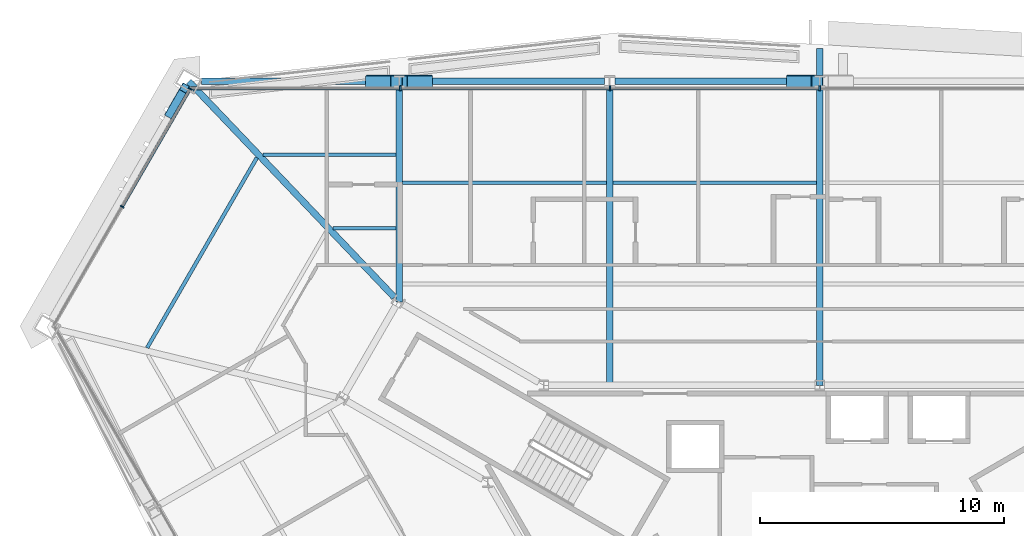
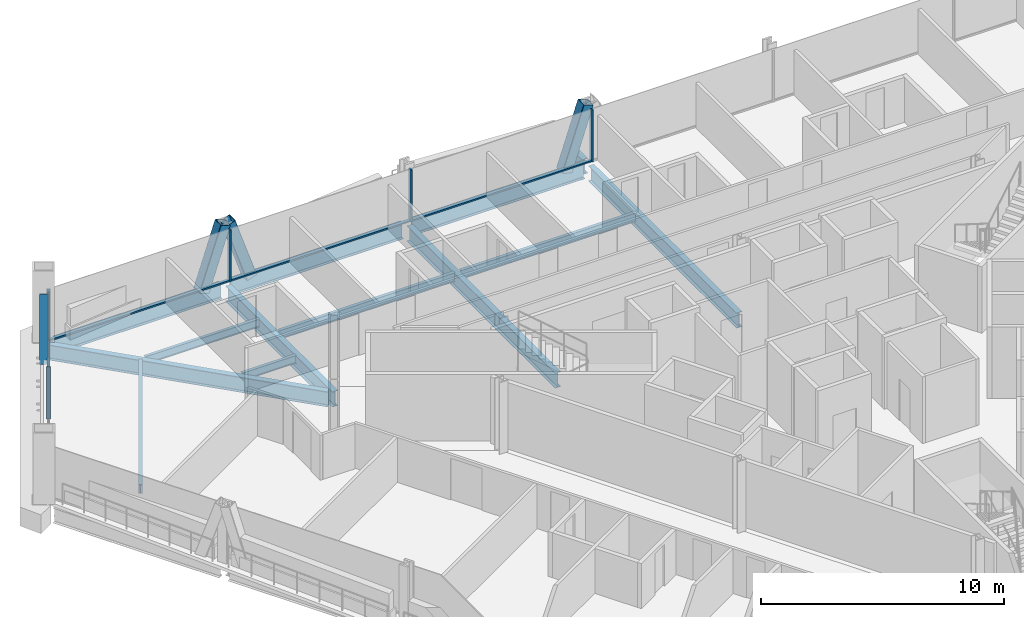
# One storey, part 8 of 18: 13 beams, 13 members, 2 elements without a shape of their own.
"""IFC4 building model written with IfcOpenShell, lengths in metres."""

from ifc_helpers import new_model, si_unit, direction, frame, origin, origin_2d, place, context, subcontext, project, spatial, rectangle, hollow_rectangle, i_section, extrude, material, material_profile, profile_set, type_object, element, aggregate, save


model = new_model("IFC4")

# Units and contexts
model_context = context("Model", 3, precision=1e-05, world=origin(), true_north=direction((0.0, 1.0)))
body_context = subcontext(model_context, "Body", "Model", "MODEL_VIEW")
ifc_project = project(units=[si_unit("LENGTHUNIT", "METRE"), si_unit("AREAUNIT", "SQUARE_METRE"), si_unit("VOLUMEUNIT", "CUBIC_METRE"), si_unit("PLANEANGLEUNIT", "RADIAN"), si_unit("MASSUNIT", "GRAM", prefix="KILO")], contexts=[model_context])

# Site, building, storey
site_placement = place(None, origin())
site = spatial("IfcSite", under=ifc_project, at=site_placement, CompositionType="ELEMENT")
building_placement = place(site_placement, origin())
building = spatial("IfcBuilding", under=site, at=building_placement, Name="Verrane Prism Tower", CompositionType="ELEMENT")
storey_placement = place(building_placement, frame((0.0, 0.0, 83.60009765625)))
storey = spatial("IfcBuildingStorey", under=building, at=storey_placement, Name="L19", CompositionType="ELEMENT", Elevation=83.60009765625)

# Member
ifc_material_1 = material(Name="Steel A500 Grade C", Category="steel")
ifc_material_profile_1 = material_profile(ifc_material_1, hollow_rectangle(XDim=0.355712890625, YDim=0.355712890625, WallThickness=0.0126953125, InnerFilletRadius=0.00634765625, OuterFilletRadius=0.01904296875, at=origin_2d()), Name="HSS14x14x1/2")
ifc_profile_set_1 = profile_set([ifc_material_profile_1], Name="Steel A500 Grade C")
member_type_1 = type_object("IfcMemberType", Name="Chamfer brace HSS14x14x1/2", PredefinedType="BRACE", material=ifc_profile_set_1)
member_1_placement = place(storey_placement, frame((-26.6630859375, 20.34619140625, -0.2451171875), z_axis=(0.204739757292, 0.355208150349, 0.912090347339), x_axis=(-0.866384024529, 0.499378335575, 0.0)))
element("IfcMember", 1, at=member_1_placement, inside=storey, type_object=member_type_1, Name="Chamfer brace NW0 L19", PredefinedType="BRACE", context=body_context, shape_type="SweptSolid", body=[
    extrude(hollow_rectangle(XDim=0.355712890625, YDim=0.355712890625, WallThickness=0.0126953125, InnerFilletRadius=0.00634765625, OuterFilletRadius=0.01904296875, at=origin_2d()), origin(), (0.0, 0.0, 1.0), 2.946533203125),
])

# Beam
ifc_material_2 = material(Name="Steel A992", Category="steel")
ifc_material_profile_2 = material_profile(ifc_material_2, i_section(OverallWidth=0.2666015625, OverallDepth=0.76708984375, WebThickness=0.014892578125, FlangeThickness=0.023681640625, FilletRadius=0.0166015625, at=origin_2d()), Name="W30x124")
ifc_profile_set_2 = profile_set([ifc_material_profile_2], Name="Steel A992")
beam_type_1 = type_object("IfcBeamType", Name="Corner girder W30x124", PredefinedType="BEAM", material=ifc_profile_set_2)
beam_1_placement = place(storey_placement, frame((-25.897216796875, 21.6669921875, -0.603515625), z_axis=(0.689657664947, -0.724135557185, 0.0), x_axis=(0.724135557185, 0.689657664947, 0.0)))
element("IfcBeam", 2, at=beam_1_placement, inside=storey, type_object=beam_type_1, Name="Corner girder L19", PredefinedType="BEAM", context=body_context, shape_type="SweptSolid", body=[
    extrude(i_section(OverallWidth=0.2666015625, OverallDepth=0.76708984375, WebThickness=0.014892578125, FlangeThickness=0.023681640625, FilletRadius=0.0166015625, at=origin_2d()), origin(), (0.0, 0.0, 1.0), 12.22900390625),
])

# Members
ifc_material_3 = material(Name="Steel A1085 Grade A", Category="steel")
ifc_material_profile_3 = material_profile(ifc_material_3, hollow_rectangle(XDim=0.508056640625, YDim=0.508056640625, WallThickness=0.025390625, InnerFilletRadius=0.0126953125, OuterFilletRadius=0.0380859375, at=origin_2d()), Name="HSS20x20x1")
ifc_profile_set_3 = profile_set([ifc_material_profile_3], Name="Steel A1085 Grade A")
member_type_2 = type_object("IfcMemberType", Name="Facade brace HSS20x20x1", PredefinedType="BRACE", material=ifc_profile_set_3)
member_2_placement = place(storey_placement, frame((-1.134033203125, 21.669921875, -0.24267578125), z_axis=(0.316612748324, 0.0, 0.948554883809), x_axis=(0.0, 1.0, 0.0)))
element("IfcMember", 3, at=member_2_placement, inside=storey, type_object=member_type_2, Name="Facade brace N3 L19", PredefinedType="BRACE", context=body_context, shape_type="SweptSolid", body=[
    extrude(hollow_rectangle(XDim=0.508056640625, YDim=0.508056640625, WallThickness=0.025390625, InnerFilletRadius=0.0126953125, OuterFilletRadius=0.0380859375, at=origin_2d()), origin(), (0.0, 0.0, 1.0), 3.23388671875),
])
member_3_placement = place(storey_placement, frame((-16.126220703125, 21.669921875, -0.24267578125), z_axis=(-0.317495351903, 0.0, 0.948259828064), x_axis=(0.0, -1.0, 0.0)))
element("IfcMember", 4, at=member_3_placement, inside=storey, type_object=member_type_2, Name="Facade brace N4 L19", PredefinedType="BRACE", context=body_context, shape_type="SweptSolid", body=[
    extrude(hollow_rectangle(XDim=0.508056640625, YDim=0.508056640625, WallThickness=0.025390625, InnerFilletRadius=0.0126953125, OuterFilletRadius=0.0380859375, at=origin_2d()), origin(), (0.0, 0.0, 1.0), 3.235107421875),
])
member_4_placement = place(storey_placement, frame((-18.395751953125, 21.669921875, -0.24267578125), z_axis=(0.316137159227, 0.0, 0.948713495506), x_axis=(0.0, 1.0, 0.0)))
element("IfcMember", 5, at=member_4_placement, inside=storey, type_object=member_type_2, Name="Facade brace N5 L19", PredefinedType="BRACE", context=body_context, shape_type="SweptSolid", body=[
    extrude(hollow_rectangle(XDim=0.508056640625, YDim=0.508056640625, WallThickness=0.025390625, InnerFilletRadius=0.0126953125, OuterFilletRadius=0.0380859375, at=origin_2d()), origin(), (0.0, 0.0, 1.0), 3.2333984375),
])

# Beams
ifc_material_4 = material(Name="Steel A992", Category="steel")
ifc_material_profile_4 = material_profile(ifc_material_4, i_section(OverallWidth=0.140380859375, OverallDepth=0.40380859375, WebThickness=0.007080078125, FlangeThickness=0.01123046875, FilletRadius=0.01025390625, at=origin_2d()), Name="W16x31")
ifc_profile_set_4 = profile_set([ifc_material_profile_4], Name="Steel A992")
beam_type_2 = type_object("IfcBeamType", Name="Floor beam W16x31", PredefinedType="BEAM", material=ifc_profile_set_4)
beam_2_placement = place(storey_placement, frame((-19.969482421875, 15.63671875, -0.362060546875), z_axis=(1.0, 0.0, 0.0), x_axis=(0.0, 1.0, 0.0)))
element("IfcBeam", 6, at=beam_2_placement, inside=storey, type_object=beam_type_2, Name="Floor beam L19", PredefinedType="BEAM", context=body_context, shape_type="SweptSolid", body=[
    extrude(i_section(OverallWidth=0.140380859375, OverallDepth=0.40380859375, WebThickness=0.007080078125, FlangeThickness=0.01123046875, FilletRadius=0.01025390625, at=origin_2d()), origin(), (0.0, 0.0, 1.0), 2.575927734375),
])
beam_3_placement = place(storey_placement, frame((-22.842529296875, 18.6533203125, -0.362060546875), z_axis=(1.0, 0.0, 0.0), x_axis=(0.0, 1.0, 0.0)))
element("IfcBeam", 7, at=beam_3_placement, inside=storey, type_object=beam_type_2, Name="Floor beam L19", PredefinedType="BEAM", context=body_context, shape_type="SweptSolid", body=[
    extrude(i_section(OverallWidth=0.140380859375, OverallDepth=0.40380859375, WebThickness=0.007080078125, FlangeThickness=0.01123046875, FilletRadius=0.01025390625, at=origin_2d()), origin(), (0.0, 0.0, 1.0), 5.448974609375),
])
ifc_material_5 = material(Name="Steel A992", Category="steel")
ifc_material_profile_5 = material_profile(ifc_material_5, i_section(OverallWidth=0.15234375, OverallDepth=0.449462890625, WebThickness=0.007568359375, FlangeThickness=0.0107421875, FilletRadius=0.01025390625, at=origin_2d()), Name="W18x35")
ifc_profile_set_5 = profile_set([ifc_material_profile_5], Name="Steel A992")
beam_type_3 = type_object("IfcBeamType", Name="Floor beam W18x35", PredefinedType="BEAM", material=ifc_profile_set_5)
for number, where, z_axis, x_axis, name in (
    (8, (-8.49658203125, 17.51318359375, -0.385009765625), (1.0, 0.0, 0.0), (0.0, 1.0, 0.0), "Floor beam L19"),
    (9, (-17.12646484375, 17.51318359375, -0.385009765625), (1.0, 0.0, 0.0), (0.0, 1.0, 0.0), "Floor beam L19"),
):
    element("IfcBeam", number, at=place(storey_placement, frame(where, z_axis=z_axis, x_axis=x_axis)), inside=storey, type_object=beam_type_3, Name=name, PredefinedType="BEAM", context=body_context, shape_type="SweptSolid", body=[
        extrude(i_section(OverallWidth=0.15234375, OverallDepth=0.449462890625, WebThickness=0.007568359375, FlangeThickness=0.0107421875, FilletRadius=0.01025390625, at=origin_2d()), origin(), (0.0, 0.0, 1.0), 8.363037109375),
    ])
beam_4_placement = place(storey_placement, frame((-27.60888671875, 10.735107421875, -0.385009765625), z_axis=(0.500017147334, 0.86601550354, 0.0), x_axis=(-0.86601550354, 0.500017147334, 0.0)))
element("IfcBeam", 10, at=beam_4_placement, inside=storey, type_object=beam_type_3, Name="Floor beam L19", PredefinedType="BEAM", context=body_context, shape_type="SweptSolid", body=[
    extrude(i_section(OverallWidth=0.15234375, OverallDepth=0.449462890625, WebThickness=0.007568359375, FlangeThickness=0.0107421875, FilletRadius=0.01025390625, at=origin_2d()), origin(), (0.0, 0.0, 1.0), 9.011962890625),
])

# Curtain wall, members
ifc_material_6 = material(Name="Aluminium framed insulated glazing", Category="aluminium")
curtain_wall_type_1 = type_object("IfcCurtainWallType", Name="Curtain wall CW-B 5600 module", PredefinedType="NOTDEFINED", material=ifc_material_6)
curtain_wall_1_placement = place(storey_placement, origin())
curtain_wall_1 = element("IfcCurtainWall", 11, at=curtain_wall_1_placement, inside=storey, type_object=curtain_wall_type_1, Name="Glazed curtain wall north-west corner L19", PredefinedType="NOTDEFINED")
ifc_material_7 = material(Name="Aluminium alloy 6063-T6", Category="aluminium")
ifc_material_profile_6 = material_profile(ifc_material_7, rectangle(XDim=0.159912109375, YDim=0.06005859375, at=origin_2d()), Name="Mullion 60x160 aluminium")
ifc_profile_set_6 = profile_set([ifc_material_profile_6], Name="Aluminium alloy 6063-T6")
member_type_3 = type_object("IfcMemberType", Name="Mullion 60x160 aluminium", PredefinedType="MULLION", material=ifc_profile_set_6)
member_5_placement = place(storey_placement, frame((-25.83740234375, 21.364990234375, 0.0), z_axis=(0.0, 0.0, 1.0), x_axis=(0.866026293788, -0.499998458466, 0.0)))
member_5 = element("IfcMember", 12, at=member_5_placement, type_object=member_type_3, Name="CW17.3 mullion 1", PredefinedType="MULLION", context=body_context, shape_type="SweptSolid", body=[
    extrude(rectangle(XDim=0.159912109375, YDim=0.06005859375, at=origin_2d()), origin(), (0.0, 0.0, 1.0), 2.61279296875),
])
member_6_placement = place(storey_placement, frame((-28.62939453125, 16.529296875, 0.0), z_axis=(0.0, 0.0, 1.0), x_axis=(0.866026293788, -0.499998458466, 0.0)))
member_6 = element("IfcMember", 13, at=member_6_placement, type_object=member_type_3, Name="CW17.3 mullion 2", PredefinedType="MULLION", context=body_context, shape_type="SweptSolid", body=[
    extrude(rectangle(XDim=0.159912109375, YDim=0.06005859375, at=origin_2d()), origin(), (0.0, 0.0, 1.0), 2.61279296875),
])

ifc_material_8 = material(Name="Aluminium framed insulated glazing", Category="aluminium")
curtain_wall_type_2 = type_object("IfcCurtainWallType", Name="Curtain wall CW-A 8400 module", PredefinedType="NOTDEFINED", material=ifc_material_8)
curtain_wall_2_placement = place(storey_placement, origin())
curtain_wall_2 = element("IfcCurtainWall", 14, at=curtain_wall_2_placement, inside=storey, type_object=curtain_wall_type_2, Name="Glazed curtain wall north face L19", PredefinedType="NOTDEFINED")
ifc_material_9 = material(Name="Aluminium alloy 6063-T6", Category="aluminium")
ifc_material_profile_7 = material_profile(ifc_material_9, rectangle(XDim=0.199951171875, YDim=0.070068359375, at=origin_2d()), Name="Mullion 70x200 aluminium")
ifc_profile_set_7 = profile_set([ifc_material_profile_7], Name="Aluminium alloy 6063-T6")
member_type_4 = type_object("IfcMemberType", Name="Mullion 70x200 aluminium", PredefinedType="MULLION", material=ifc_profile_set_7)
member_7_placement = place(storey_placement, frame((0.0, 21.39111328125, 0.0), z_axis=(0.0, 0.0, 1.0), x_axis=(0.0, -1.0, 0.0)))
member_7 = element("IfcMember", 15, at=member_7_placement, type_object=member_type_4, Name="CW17.2 mullion 4", PredefinedType="MULLION", context=body_context, shape_type="SweptSolid", body=[
    extrude(rectangle(XDim=0.199951171875, YDim=0.070068359375, at=origin_2d()), origin(), (0.0, 0.0, 1.0), 2.61279296875),
])
member_8_placement = place(storey_placement, frame((-8.607421875, 21.39111328125, 0.0), z_axis=(0.0, 0.0, 1.0), x_axis=(0.0, -1.0, 0.0)))
member_8 = element("IfcMember", 16, at=member_8_placement, type_object=member_type_4, Name="CW17.2 mullion 5", PredefinedType="MULLION", context=body_context, shape_type="SweptSolid", body=[
    extrude(rectangle(XDim=0.199951171875, YDim=0.070068359375, at=origin_2d()), origin(), (0.0, 0.0, 1.0), 2.61279296875),
])
member_9_placement = place(storey_placement, frame((-17.21484375, 21.39111328125, 0.0), z_axis=(0.0, 0.0, 1.0), x_axis=(0.0, -1.0, 0.0)))
member_9 = element("IfcMember", 17, at=member_9_placement, type_object=member_type_4, Name="CW17.2 mullion 6", PredefinedType="MULLION", context=body_context, shape_type="SweptSolid", body=[
    extrude(rectangle(XDim=0.199951171875, YDim=0.070068359375, at=origin_2d()), origin(), (0.0, 0.0, 1.0), 2.61279296875),
])

# Beams
ifc_material_10 = material(Name="Steel A992", Category="steel")
ifc_material_profile_8 = material_profile(ifc_material_10, i_section(OverallWidth=0.2666015625, OverallDepth=0.76708984375, WebThickness=0.014892578125, FlangeThickness=0.023681640625, FilletRadius=0.0166015625, at=origin_2d()), Name="W30x124")
ifc_profile_set_8 = profile_set([ifc_material_profile_8], Name="Steel A992")
beam_type_4 = type_object("IfcBeamType", Name="Radial girder W30x124", PredefinedType="BEAM", material=ifc_profile_set_8)
for number, where, z_axis, x_axis, name in (
    (18, (0.0, 21.421142578125, -0.603515625), (0.0, -1.0, 0.0), (1.0, 0.0, 0.0), "Radial girder L19"),
    (19, (-8.6298828125, 21.421142578125, -0.603515625), (0.0, -1.0, 0.0), (1.0, 0.0, 0.0), "Radial girder L19"),
):
    element("IfcBeam", number, at=place(storey_placement, frame(where, z_axis=z_axis, x_axis=x_axis)), inside=storey, type_object=beam_type_4, Name=name, PredefinedType="BEAM", context=body_context, shape_type="SweptSolid", body=[
        extrude(i_section(OverallWidth=0.2666015625, OverallDepth=0.76708984375, WebThickness=0.014892578125, FlangeThickness=0.023681640625, FilletRadius=0.0166015625, at=origin_2d()), origin(), (0.0, 0.0, 1.0), 12.22119140625),
    ])
beam_5_placement = place(storey_placement, frame((-17.260009765625, 21.421142578125, -0.603515625), z_axis=(0.0, -1.0, 0.0), x_axis=(1.0, 0.0, 0.0)))
element("IfcBeam", 20, at=beam_5_placement, inside=storey, type_object=beam_type_4, Name="Radial girder L19", PredefinedType="BEAM", context=body_context, shape_type="SweptSolid", body=[
    extrude(i_section(OverallWidth=0.2666015625, OverallDepth=0.76708984375, WebThickness=0.014892578125, FlangeThickness=0.023681640625, FilletRadius=0.0166015625, at=origin_2d()), origin(), (0.0, 0.0, 1.0), 8.80419921875),
])
beam_6_placement = place(storey_placement, frame((0.0, 21.914794921875, -0.603515625), z_axis=(0.0, 1.0, 0.0), x_axis=(-1.0, 0.0, 0.0)))
element("IfcBeam", 21, at=beam_6_placement, inside=storey, type_object=beam_type_4, Name="Cantilever girder L19", PredefinedType="BEAM", context=body_context, shape_type="SweptSolid", body=[
    extrude(i_section(OverallWidth=0.2666015625, OverallDepth=0.76708984375, WebThickness=0.014892578125, FlangeThickness=0.023681640625, FilletRadius=0.0166015625, at=origin_2d()), origin(), (0.0, 0.0, 1.0), 1.116943359375),
])
ifc_material_11 = material(Name="Steel A992", Category="steel")
ifc_material_profile_9 = material_profile(ifc_material_11, i_section(OverallWidth=0.2666015625, OverallDepth=0.7568359375, WebThickness=0.013916015625, FlangeThickness=0.019287109375, FilletRadius=0.0166015625, at=origin_2d()), Name="W30x108")
ifc_profile_set_9 = profile_set([ifc_material_profile_9], Name="Steel A992")
beam_type_5 = type_object("IfcBeamType", Name="Spandrel beam W30x108", PredefinedType="SPANDREL", material=ifc_profile_set_9)
for number, where, z_axis, x_axis, name in (
    (22, (-0.2158203125, 21.669921875, -0.53857421875), (-1.0, 0.0, 0.0), (0.0, -1.0, 0.0), "Spandrel beam L19"),
    (23, (-8.845947265625, 21.669921875, -0.53857421875), (-1.0, 0.0, 0.0), (0.0, -1.0, 0.0), "Spandrel beam L19"),
):
    element("IfcBeam", number, at=place(storey_placement, frame(where, z_axis=z_axis, x_axis=x_axis)), inside=storey, type_object=beam_type_5, Name=name, PredefinedType="SPANDREL", context=body_context, shape_type="SweptSolid", body=[
        extrude(i_section(OverallWidth=0.2666015625, OverallDepth=0.7568359375, WebThickness=0.013916015625, FlangeThickness=0.019287109375, FilletRadius=0.0166015625, at=origin_2d()), origin(), (0.0, 0.0, 1.0), 8.1982421875),
    ])
beam_7_placement = place(storey_placement, frame((-17.475830078125, 21.669921875, -0.53857421875), z_axis=(-1.0, 0.0, 0.0), x_axis=(0.0, -1.0, 0.0)))
element("IfcBeam", 24, at=beam_7_placement, inside=storey, type_object=beam_type_5, Name="Spandrel beam L19", PredefinedType="SPANDREL", context=body_context, shape_type="SweptSolid", body=[
    extrude(i_section(OverallWidth=0.2666015625, OverallDepth=0.7568359375, WebThickness=0.013916015625, FlangeThickness=0.019287109375, FilletRadius=0.0166015625, at=origin_2d()), origin(), (0.0, 0.0, 1.0), 7.904541015625),
])

# Member
ifc_material_12 = material(Name="Aluminium alloy 6063-T6", Category="aluminium")
ifc_material_profile_10 = material_profile(ifc_material_12, rectangle(XDim=0.1201171875, YDim=0.06005859375, at=origin_2d()), Name="Transom 60x120 aluminium")
ifc_profile_set_10 = profile_set([ifc_material_profile_10], Name="Aluminium alloy 6063-T6")
member_type_5 = type_object("IfcMemberType", Name="Transom 60x120 aluminium", PredefinedType="USERDEFINED", material=ifc_profile_set_10)
member_10_placement = place(storey_placement, frame((-25.852294921875, 21.339111328125, 0.02978515625), z_axis=(-0.499994082372, -0.866028820302, 0.0), x_axis=(0.866028820302, -0.499994082372, 0.0)))
member_10 = element("IfcMember", 25, at=member_10_placement, type_object=member_type_5, Name="CW17.3 transom 1", ObjectType="TRANSOM", PredefinedType="USERDEFINED", context=body_context, shape_type="SweptSolid", body=[
    extrude(rectangle(XDim=0.1201171875, YDim=0.06005859375, at=origin_2d()), origin(), (0.0, 0.0, 1.0), 5.52392578125),
])

aggregate(curtain_wall_1, [member_5, member_6, member_10])

ifc_material_13 = material(Name="Aluminium alloy 6063-T6", Category="aluminium")
ifc_material_profile_11 = material_profile(ifc_material_13, rectangle(XDim=0.14990234375, YDim=0.070068359375, at=origin_2d()), Name="Transom 70x150 aluminium")
ifc_profile_set_11 = profile_set([ifc_material_profile_11], Name="Aluminium alloy 6063-T6")
member_type_6 = type_object("IfcMemberType", Name="Transom 70x150 aluminium", PredefinedType="USERDEFINED", material=ifc_profile_set_11)
member_11_placement = place(storey_placement, frame((-0.034912109375, 21.39111328125, 0.034912109375), z_axis=(-1.0, 0.0, 0.0), x_axis=(0.0, -1.0, 0.0)))
member_11 = element("IfcMember", 26, at=member_11_placement, type_object=member_type_6, Name="CW17.2 transom 4", ObjectType="TRANSOM", PredefinedType="USERDEFINED", context=body_context, shape_type="SweptSolid", body=[
    extrude(rectangle(XDim=0.14990234375, YDim=0.070068359375, at=origin_2d()), origin(), (0.0, 0.0, 1.0), 8.53759765625),
])

member_12_placement = place(storey_placement, frame((-8.642578125, 21.39111328125, 0.034912109375), z_axis=(-1.0, 0.0, 0.0), x_axis=(0.0, -1.0, 0.0)))
member_12 = element("IfcMember", 27, at=member_12_placement, type_object=member_type_6, Name="CW17.2 transom 5", ObjectType="TRANSOM", PredefinedType="USERDEFINED", context=body_context, shape_type="SweptSolid", body=[
    extrude(rectangle(XDim=0.14990234375, YDim=0.070068359375, at=origin_2d()), origin(), (0.0, 0.0, 1.0), 8.537353515625),
])

member_13_placement = place(storey_placement, frame((-17.25, 21.39111328125, 0.034912109375), z_axis=(-1.0, 0.0, 0.0), x_axis=(0.0, -1.0, 0.0)))
member_13 = element("IfcMember", 28, at=member_13_placement, type_object=member_type_6, Name="CW17.2 transom 6", ObjectType="TRANSOM", PredefinedType="USERDEFINED", context=body_context, shape_type="SweptSolid", body=[
    extrude(rectangle(XDim=0.14990234375, YDim=0.070068359375, at=origin_2d()), origin(), (0.0, 0.0, 1.0), 8.572509765625),
])

aggregate(curtain_wall_2, [member_7, member_8, member_9, member_11, member_12, member_13])

save(model, "model.ifc")
